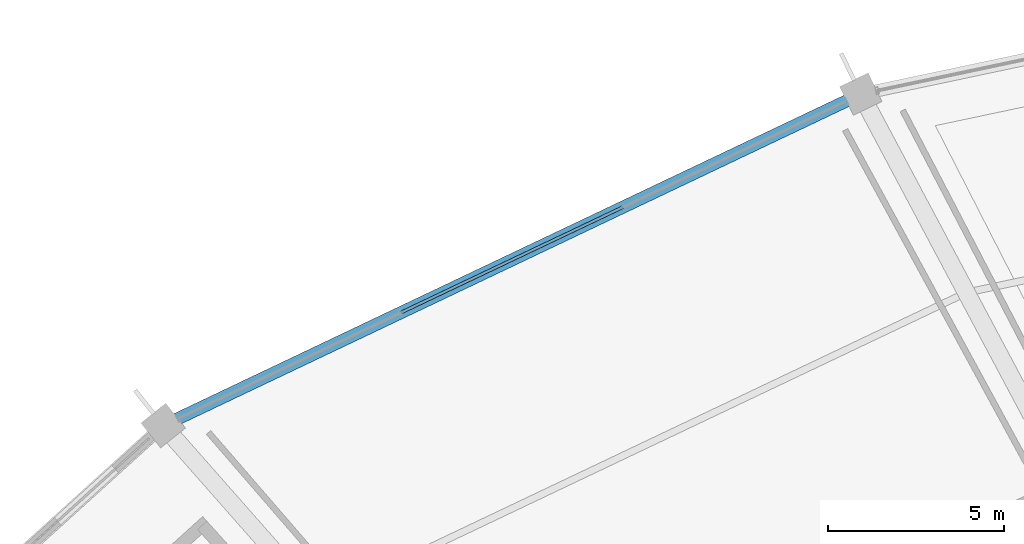
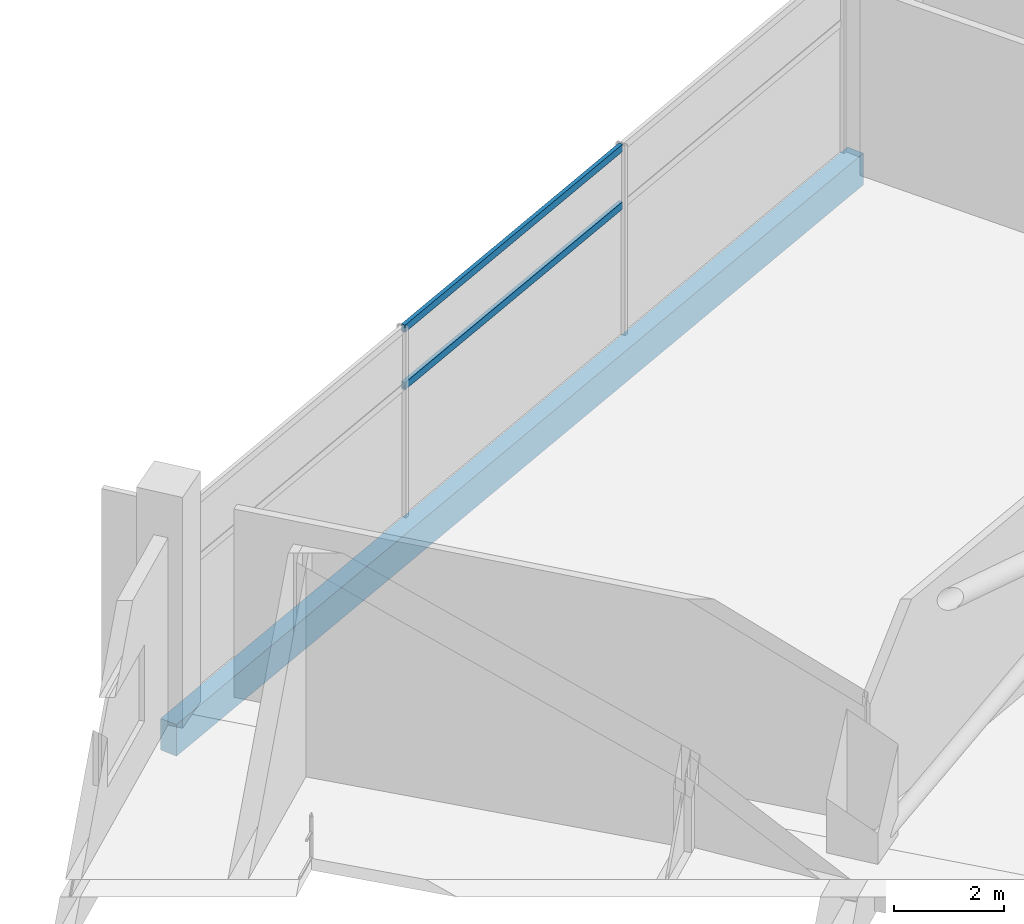
# One storey, part 103 of 184: 2 members, 1 beam, 1 element without a shape of its own.
"""IFC4 building model written with IfcOpenShell, lengths in metres."""

from ifc_helpers import new_model, si_unit, direction, frame, origin, origin_2d, place, context, subcontext, project, spatial, rectangle, hollow_rectangle, extrude, material, layer, layer_set, material_profile, profile_set, type_object, element, aggregate, save


model = new_model("IFC4")

# Units and contexts
model_context = context("Model", 3, precision=1e-05, world=origin(), true_north=direction((0.0, 1.0)))
body_context = subcontext(model_context, "Body", "Model", "MODEL_VIEW")
ifc_project = project(units=[si_unit("LENGTHUNIT", "METRE"), si_unit("AREAUNIT", "SQUARE_METRE"), si_unit("VOLUMEUNIT", "CUBIC_METRE"), si_unit("PLANEANGLEUNIT", "RADIAN"), si_unit("MASSUNIT", "GRAM", prefix="KILO")], contexts=[model_context])

# Site, building, storey
site_placement = place(None, origin())
site = spatial("IfcSite", under=ifc_project, at=site_placement, CompositionType="ELEMENT")
building_placement = place(site_placement, origin())
building = spatial("IfcBuilding", under=site, at=building_placement, Name="Kazemori Nagisa Stadium", CompositionType="ELEMENT")
storey_placement = place(building_placement, frame((0.0, 0.0, 10.5400390625)))
storey = spatial("IfcBuildingStorey", under=building, at=storey_placement, Name="L02", CompositionType="ELEMENT", Elevation=10.5400390625)

# Beam
ifc_material_1 = material(Name="Concrete C40/50 (Fc42)", Category="concrete")
ifc_material_profile_1 = material_profile(ifc_material_1, rectangle(XDim=0.35009765625, YDim=0.699951171875, at=origin_2d()), Name="RC-SP-350x700")
ifc_profile_set_1 = profile_set([ifc_material_profile_1], Name="Concrete C40/50 (Fc42)")
beam_type = type_object("IfcBeamType", Name="Beam_BS-RC350X700", PredefinedType="SPANDREL", material=ifc_profile_set_1)
beam_placement = place(storey_placement, frame((80.1953125, 182.46435546875, -0.610107421875), z_axis=(-0.903215644095, -0.429187022475, 0.0), x_axis=(0.429187022475, -0.903215644095, 0.0)))
element("IfcBeam", 1, at=beam_placement, inside=storey, type_object=beam_type, Name="Ring girder BS-RC350X700 L02 R3-10", PredefinedType="SPANDREL", context=body_context, shape_type="SweptSolid", body=[
    extrude(rectangle(XDim=0.35009765625, YDim=0.699951171875, at=origin_2d()), origin(), (0.0, 0.0, 1.0), 21.9140625),
])

# Curtain wall, members
ifc_material_2 = material(Name="Anodised aluminium 6063-T5", Category="aluminium")
ifc_layer = layer(ifc_material_2, 0.2099609375, Name="Anodised aluminium 6063-T5", Category="aluminium")
ifc_layer_set = layer_set([ifc_layer], Name="Anodised aluminium 6063-T5")
curtain_wall_type = type_object("IfcCurtainWallType", Name="CW_L02R3_105", PredefinedType="USERDEFINED", material=ifc_layer_set)
curtain_wall_placement = place(storey_placement, origin())
curtain_wall = element("IfcCurtainWall", 2, at=curtain_wall_placement, inside=storey, type_object=curtain_wall_type, Name="Unitised curtain wall CW-L02R3-105 L02", ObjectType="UNITISED CURTAIN WALL", PredefinedType="USERDEFINED")
ifc_material_3 = material(Name="Aluminium 6063-T5 anodised", Category="aluminium")
ifc_material_profile_2 = material_profile(ifc_material_3, hollow_rectangle(XDim=0.080078125, YDim=0.159912109375, WallThickness=0.00390625, at=origin_2d()), Name="ALU-TRAN-80x160x4")
ifc_profile_set_2 = profile_set([ifc_material_profile_2], Name="Aluminium 6063-T5 anodised")
member_type = type_object("IfcMemberType", Name="Transom_T02", PredefinedType="USERDEFINED", material=ifc_profile_set_2)
member_1_placement = place(storey_placement, frame((73.4365234375, 179.252685546875, 2.84912109375), z_axis=(-0.903207701329, -0.429203737473, 0.0), x_axis=(0.429203737473, -0.903207701329, 0.0)))
member_1 = element("IfcMember", 3, at=member_1_placement, type_object=member_type, Name="Curtain wall transom CW-L02R3-105-T2-mid", ObjectType="TRANSOM", PredefinedType="USERDEFINED", context=body_context, shape_type="SweptSolid", body=[
    extrude(hollow_rectangle(XDim=0.080078125, YDim=0.159912109375, WallThickness=0.00390625, at=origin_2d()), origin(), (0.0, 0.0, 1.0), 6.9482421875),
])
member_2_placement = place(storey_placement, frame((73.4365234375, 179.252685546875, 4.119873046875), z_axis=(-0.903207701329, -0.429203737473, 0.0), x_axis=(0.429203737473, -0.903207701329, 0.0)))
member_2 = element("IfcMember", 4, at=member_2_placement, type_object=member_type, Name="Curtain wall transom CW-L02R3-105-T2-head", ObjectType="TRANSOM", PredefinedType="USERDEFINED", context=body_context, shape_type="SweptSolid", body=[
    extrude(hollow_rectangle(XDim=0.080078125, YDim=0.159912109375, WallThickness=0.00390625, at=origin_2d()), origin(), (0.0, 0.0, 1.0), 6.9482421875),
])
aggregate(curtain_wall, [member_1, member_2])

save(model, "model.ifc")
